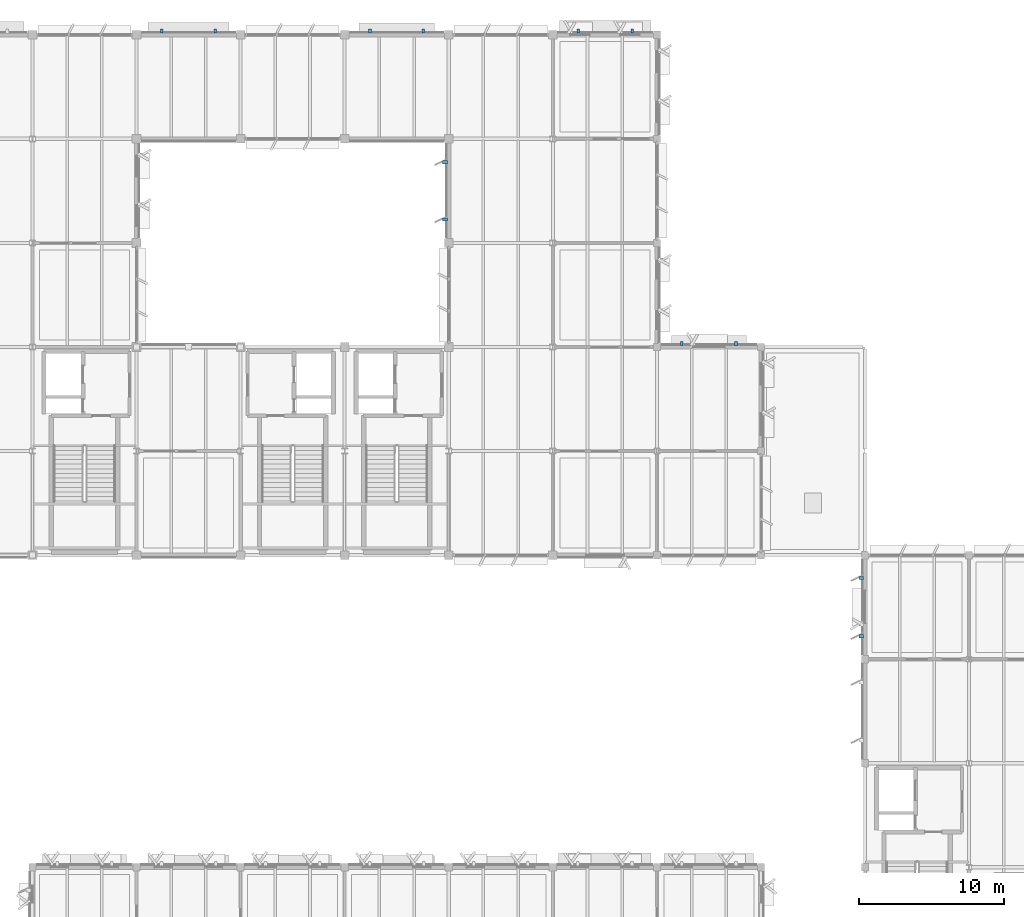
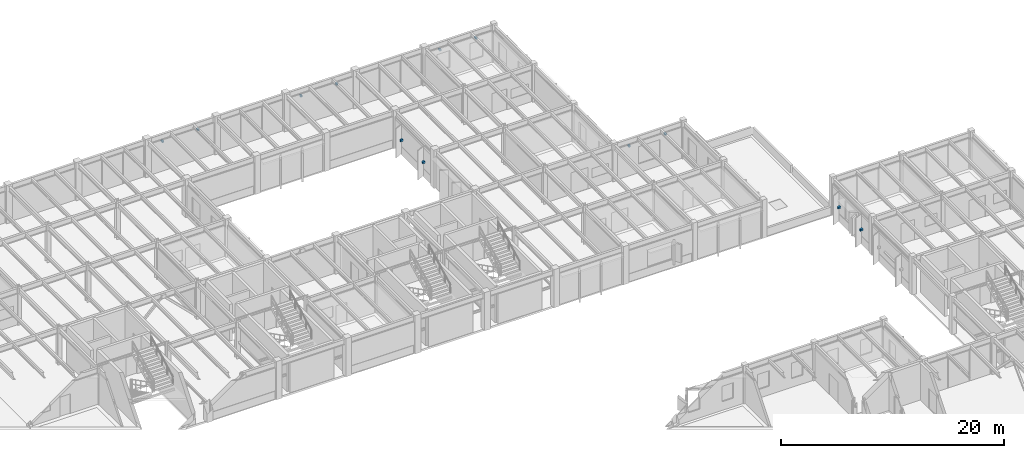
# One storey, part 48 of 85: 12 discrete accessories.
"""IFC4 building model written with IfcOpenShell, lengths in metres."""

from ifc_helpers import new_model, si_unit, direction, frame, origin, origin_2d, place, context, subcontext, project, spatial, rectangle, extrude, material, type_object, element, save


model = new_model("IFC4")

# Units and contexts
model_context = context("Model", 3, precision=1e-05, world=origin(), true_north=direction((0.0, 1.0)))
body_context = subcontext(model_context, "Body", "Model", "MODEL_VIEW")
ifc_project = project(units=[si_unit("LENGTHUNIT", "METRE"), si_unit("AREAUNIT", "SQUARE_METRE"), si_unit("VOLUMEUNIT", "CUBIC_METRE"), si_unit("PLANEANGLEUNIT", "RADIAN"), si_unit("MASSUNIT", "GRAM", prefix="KILO")], contexts=[model_context])

# Site, building, storey
site_placement = place(None, origin())
site = spatial("IfcSite", under=ifc_project, at=site_placement, CompositionType="ELEMENT")
building_placement = place(site_placement, origin())
building = spatial("IfcBuilding", under=site, at=building_placement, Name="Sillqori Civic Hall", CompositionType="ELEMENT")
storey_placement = place(building_placement, frame((0.0, 0.0, 9.89990234375)))
storey = spatial("IfcBuildingStorey", under=building, at=storey_placement, Name="L03", CompositionType="ELEMENT", Elevation=9.89990234375)

# Discrete accessories
ifc_material = material(Name="Steel ASTM A572 Grade 50", Category="steel")
discrete_accessory_type_1 = type_object("IfcDiscreteAccessoryType", Name="BRK-FAC-240", PredefinedType="BRACKET", material=ifc_material)
for number, where, z_axis, x_axis, name in (
    (1, (73.751953125, 115.449951171875, 2.89990234375), (0.0, 0.0, 1.0), (1.0, 0.0, 0.0), "Sun-hood steel bracket L03-10-15-N.1"),
    (2, (77.447998046875, 115.449951171875, 2.89990234375), (0.0, 0.0, 1.0), (1.0, 0.0, 0.0), "Sun-hood steel bracket L03-10-15-N.2"),
    (3, (88.152099609375, 115.449951171875, 2.85009765625), (0.0, 0.0, 1.0), (1.0, 0.0, 0.0), "Sun-hood steel bracket L03-12-15-N.1"),
    (4, (91.847900390625, 115.449951171875, 2.85009765625), (0.0, 0.0, 1.0), (1.0, 0.0, 0.0), "Sun-hood steel bracket L03-12-15-N.2"),
    (5, (102.56298828125, 115.449951171875, 2.85009765625), (0.0, 0.0, 1.0), (1.0, 0.0, 0.0), "Sun-hood steel bracket L03-14-15-N.1"),
    (6, (106.287109375, 115.449951171875, 2.85009765625), (0.0, 0.0, 1.0), (1.0, 0.0, 0.0), "Sun-hood steel bracket L03-14-15-N.2"),
    (7, (109.72412109375, 93.85009765625, 2.89990234375), (0.0, 0.0, 1.0), (1.0, 0.0, 0.0), "Sun-hood steel bracket L03-15-12-N.1"),
    (8, (113.47607421875, 93.85009765625, 2.89990234375), (0.0, 0.0, 1.0), (1.0, 0.0, 0.0), "Sun-hood steel bracket L03-15-12-N.2"),
):
    element("IfcDiscreteAccessory", number, at=place(storey_placement, frame(where, z_axis=z_axis, x_axis=x_axis)), inside=storey, type_object=discrete_accessory_type_1, Name=name, PredefinedType="BRACKET", context=body_context, shape_type="SweptSolid", body=[
        extrude(rectangle(XDim=0.179931640625, YDim=0.280029296875, at=origin_2d()), origin(), (0.0, 0.0, 1.0), 0.179931640625),
    ])
discrete_accessory_type_2 = type_object("IfcDiscreteAccessoryType", Name="BRK-FIN-280", PredefinedType="BRACKET", material=ifc_material)
for number, where, z_axis, x_axis, name in (
    (9, (93.340087890625, 102.419921875, 1.6435546875), (0.0, 0.0, 1.0), (0.0, 1.0, 0.0), "Brise-soleil fin steel bracket L03-13-14-W.1"),
    (10, (93.340087890625, 106.3798828125, 1.6435546875), (0.0, 0.0, 1.0), (0.0, 1.0, 0.0), "Brise-soleil fin steel bracket L03-13-14-W.2"),
    (11, (122.1298828125, 73.590087890625, 1.6435546875), (0.0, 0.0, 1.0), (0.0, 1.0, 0.0), "Brise-soleil fin steel bracket L03-17-10-W.1"),
    (12, (122.1298828125, 77.610107421875, 1.6435546875), (0.0, 0.0, 1.0), (0.0, 1.0, 0.0), "Brise-soleil fin steel bracket L03-17-10-W.2"),
):
    element("IfcDiscreteAccessory", number, at=place(storey_placement, frame(where, z_axis=z_axis, x_axis=x_axis)), inside=storey, type_object=discrete_accessory_type_2, Name=name, PredefinedType="BRACKET", context=body_context, shape_type="SweptSolid", body=[
        extrude(rectangle(XDim=0.219970703125, YDim=0.320068359375, at=origin_2d()), origin(), (0.0, 0.0, 1.0), 0.199951171875),
    ])

save(model, "model.ifc")
